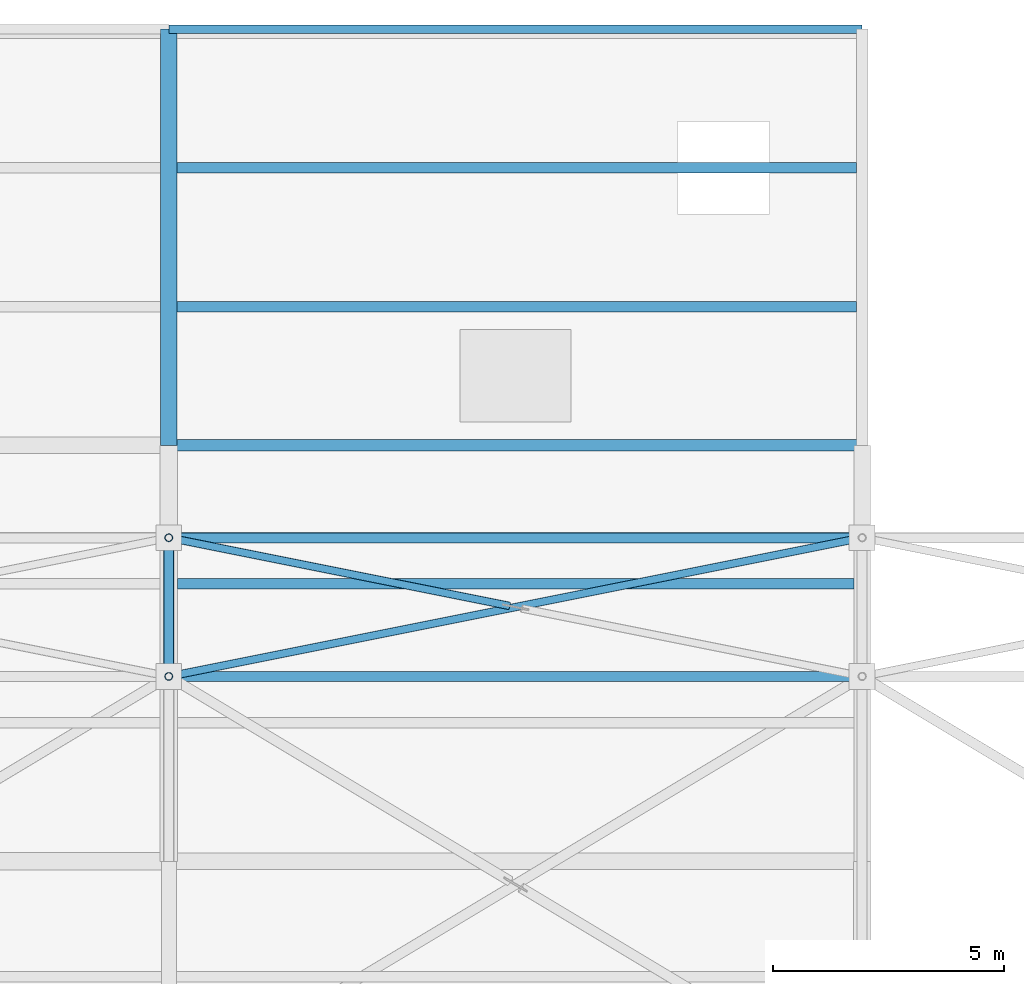
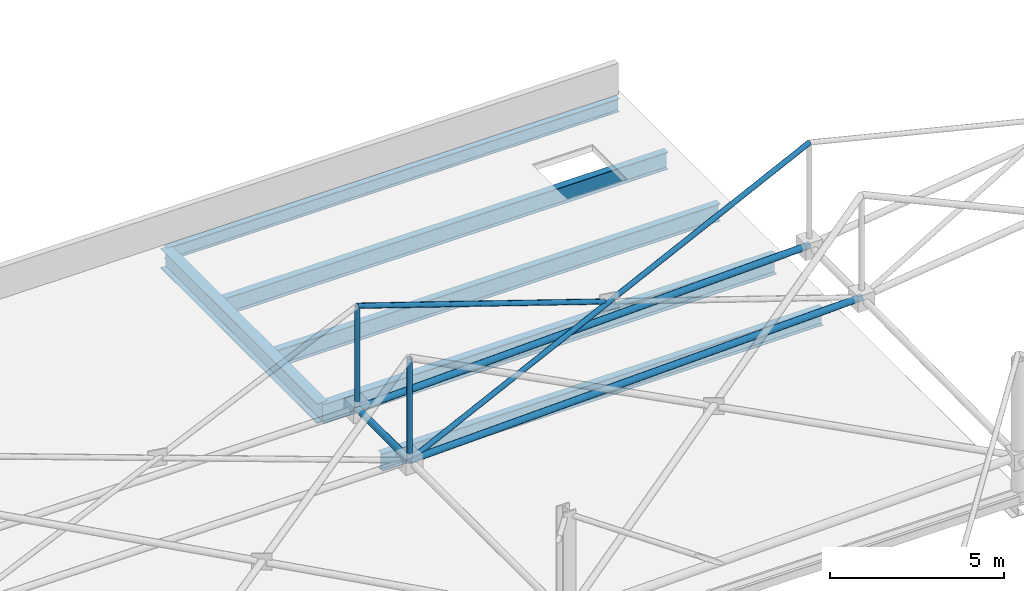
# One storey, part 116 of 224: 7 members, 6 beams.
"""IFC4 building model written with IfcOpenShell, lengths in metres."""

from ifc_helpers import new_model, si_unit, direction, frame, origin, origin_2d, place, context, subcontext, project, spatial, hollow_circle, i_section, extrude, material, material_profile, profile_set, type_object, element, save


model = new_model("IFC4")

# Units and contexts
model_context = context("Model", 3, precision=1e-05, world=origin(), true_north=direction((0.0, 1.0)))
body_context = subcontext(model_context, "Body", "Model", "MODEL_VIEW")
ifc_project = project(units=[si_unit("LENGTHUNIT", "METRE"), si_unit("AREAUNIT", "SQUARE_METRE"), si_unit("VOLUMEUNIT", "CUBIC_METRE"), si_unit("PLANEANGLEUNIT", "RADIAN"), si_unit("MASSUNIT", "GRAM", prefix="KILO")], contexts=[model_context])

# Site, building, storey
site_placement = place(None, origin())
site = spatial("IfcSite", under=ifc_project, at=site_placement, CompositionType="ELEMENT")
building_placement = place(site_placement, origin())
building = spatial("IfcBuilding", under=site, at=building_placement, Name="Qamarlyn Nura Convention Centre", CompositionType="ELEMENT")
storey_placement = place(building_placement, frame((0.0, 0.0, 10.800048828125)))
storey = spatial("IfcBuildingStorey", under=building, at=storey_placement, Name="L02", CompositionType="ELEMENT", Elevation=10.800048828125)

# Beams
ifc_material_1 = material(Name="Steel ASTM A992", Category="steel")
ifc_material_profile_1 = material_profile(ifc_material_1, i_section(OverallWidth=0.35498046875, OverallDepth=0.695068359375, WebThickness=0.015380859375, FlangeThickness=0.02490234375, FilletRadius=0.01806640625, at=origin_2d()), Name="W690X217")
ifc_profile_set_1 = profile_set([ifc_material_profile_1], Name="Steel ASTM A992")
beam_type_1 = type_object("IfcBeamType", Name="BM-GIRD-690A", PredefinedType="BEAM", material=ifc_profile_set_1)
beam_1_placement = place(storey_placement, frame((75.0, 117.0, -0.54248046875), z_axis=(0.0, 1.0, 0.0), x_axis=(-1.0, 0.0, 0.0)))
element("IfcBeam", 1, at=beam_1_placement, inside=storey, type_object=beam_type_1, Name="L02 girder 6 P-Q", PredefinedType="BEAM", context=body_context, shape_type="SweptSolid", body=[
    extrude(i_section(OverallWidth=0.35498046875, OverallDepth=0.695068359375, WebThickness=0.015380859375, FlangeThickness=0.02490234375, FilletRadius=0.01806640625, at=origin_2d()), origin(), (0.0, 0.0, 1.0), 9.0),
])
ifc_material_profile_2 = material_profile(ifc_material_1, i_section(OverallWidth=0.25390625, OverallDepth=0.68408203125, WebThickness=0.012451171875, FlangeThickness=0.01904296875, FilletRadius=0.01806640625, at=origin_2d()), Name="W690X140")
ifc_profile_set_2 = profile_set([ifc_material_profile_2], Name="Steel ASTM A992")
beam_type_2 = type_object("IfcBeamType", Name="BM-GIRD-690B", PredefinedType="BEAM", material=ifc_profile_set_2)
beam_2_placement = place(storey_placement, frame((75.0, 117.0, -0.537109375), z_axis=(1.0, 0.0, 0.0), x_axis=(0.0, 1.0, 0.0)))
element("IfcBeam", 2, at=beam_2_placement, inside=storey, type_object=beam_type_2, Name="L02 girder P 6-7", PredefinedType="BEAM", context=body_context, shape_type="SweptSolid", body=[
    extrude(i_section(OverallWidth=0.25390625, OverallDepth=0.68408203125, WebThickness=0.012451171875, FlangeThickness=0.01904296875, FilletRadius=0.01806640625, at=origin_2d()), origin(), (0.0, 0.0, 1.0), 15.0),
])
ifc_material_profile_3 = material_profile(ifc_material_1, i_section(OverallWidth=0.22802734375, OverallDepth=0.60791015625, WebThickness=0.01123046875, FlangeThickness=0.017333984375, FilletRadius=0.01611328125, at=origin_2d()), Name="W610X113")
ifc_profile_set_3 = profile_set([ifc_material_profile_3], Name="Steel ASTM A992")
beam_type_3 = type_object("IfcBeamType", Name="BM-JOIST-610", PredefinedType="JOIST", material=ifc_profile_set_3)
beam_3_placement = place(storey_placement, frame((75.1904296875, 114.0, -0.4990234375), z_axis=(1.0, 0.0, 0.0), x_axis=(0.0, 1.0, 0.0)))
element("IfcBeam", 3, at=beam_3_placement, inside=storey, type_object=beam_type_3, Name="L02 composite joist 6-7/N+2", PredefinedType="JOIST", context=body_context, shape_type="SweptSolid", body=[
    extrude(i_section(OverallWidth=0.22802734375, OverallDepth=0.60791015625, WebThickness=0.01123046875, FlangeThickness=0.017333984375, FilletRadius=0.01611328125, at=origin_2d()), origin(), (0.0, 0.0, 1.0), 14.632080078125),
])
for number, where, z_axis, x_axis, name in (
    (4, (75.177490234375, 120.0, -0.4990234375), (1.0, 0.0, 0.0), (0.0, 1.0, 0.0), "L02 composite joist 6-7/P+1"),
    (5, (75.177490234375, 123.0, -0.4990234375), (1.0, 0.0, 0.0), (0.0, 1.0, 0.0), "L02 composite joist 6-7/P+2"),
):
    element("IfcBeam", number, at=place(storey_placement, frame(where, z_axis=z_axis, x_axis=x_axis)), inside=storey, type_object=beam_type_3, Name=name, PredefinedType="JOIST", context=body_context, shape_type="SweptSolid", body=[
        extrude(i_section(OverallWidth=0.22802734375, OverallDepth=0.60791015625, WebThickness=0.01123046875, FlangeThickness=0.017333984375, FilletRadius=0.01611328125, at=origin_2d()), origin(), (0.0, 0.0, 1.0), 14.695556640625),
    ])
ifc_material_profile_4 = material_profile(ifc_material_1, i_section(OverallWidth=0.193115234375, OverallDepth=0.466064453125, WebThickness=0.011474609375, FlangeThickness=0.01904296875, FilletRadius=0.012939453125, at=origin_2d()), Name="W460X97")
ifc_profile_set_4 = profile_set([ifc_material_profile_4], Name="Steel ASTM A992")
beam_type_4 = type_object("IfcBeamType", Name="BM-SPAN-460", PredefinedType="SPANDREL", material=ifc_profile_set_4)
beam_4_placement = place(storey_placement, frame((75.0, 126.0, -0.427978515625), z_axis=(1.0, 0.0, 0.0), x_axis=(0.0, 1.0, 0.0)))
element("IfcBeam", 6, at=beam_4_placement, inside=storey, type_object=beam_type_4, Name="L02 girder Q 6-7", PredefinedType="SPANDREL", context=body_context, shape_type="SweptSolid", body=[
    extrude(i_section(OverallWidth=0.193115234375, OverallDepth=0.466064453125, WebThickness=0.011474609375, FlangeThickness=0.01904296875, FilletRadius=0.012939453125, at=origin_2d()), origin(), (0.0, 0.0, 1.0), 15.0),
])

# Members
ifc_material_2 = material(Name="Pearl-white PVDF steel ASTM A500 Grade C", Category="steel")
ifc_material_profile_5 = material_profile(ifc_material_2, hollow_circle(Radius=0.109619140625, WallThickness=0.010009765625, at=origin_2d()), Name="CHS219.1X10")
ifc_profile_set_5 = profile_set([ifc_material_profile_5], Name="Pearl-white PVDF steel ASTM A500 Grade C")
member_type_1 = type_object("IfcMemberType", Name="SF-BC-EAVE", PredefinedType="CHORD", material=ifc_profile_set_5)
member_1_placement = place(storey_placement, frame((75.0, 112.0, 0.800048828125), z_axis=(0.999518656268, 0.0, 0.031023471314), x_axis=(0.0, 1.0, 0.0)))
element("IfcMember", 7, at=member_1_placement, inside=storey, type_object=member_type_1, Name="ROOF TRUSS space frame bottom chord X7-8", PredefinedType="CHORD", context=body_context, shape_type="SweptSolid", body=[
    extrude(hollow_circle(Radius=0.109619140625, WallThickness=0.010009765625, at=origin_2d()), origin(), (0.0, 0.0, 1.0), 15.00732421875),
])
member_2_placement = place(storey_placement, frame((75.0, 115.0, 0.800048828125), z_axis=(0.999500838855, 0.0, 0.031592295395), x_axis=(0.0, 1.0, 0.0)))
element("IfcMember", 8, at=member_2_placement, inside=storey, type_object=member_type_1, Name="ROOF TRUSS space frame bottom chord X7-9", PredefinedType="CHORD", context=body_context, shape_type="SweptSolid", body=[
    extrude(hollow_circle(Radius=0.109619140625, WallThickness=0.010009765625, at=origin_2d()), origin(), (0.0, 0.0, 1.0), 15.007568359375),
])
member_3_placement = place(storey_placement, frame((75.0, 112.0, 0.800048828125), z_axis=(0.0, 1.0, 0.0), x_axis=(-1.0, 0.0, 0.0)))
element("IfcMember", 9, at=member_3_placement, inside=storey, type_object=member_type_1, Name="ROOF TRUSS space frame bottom chord Y7-8", PredefinedType="CHORD", context=body_context, shape_type="SweptSolid", body=[
    extrude(hollow_circle(Radius=0.109619140625, WallThickness=0.010009765625, at=origin_2d()), origin(), (0.0, 0.0, 1.0), 3.0),
])
ifc_material_profile_6 = material_profile(ifc_material_2, hollow_circle(Radius=0.084228515625, WallThickness=0.008056640625, at=origin_2d()), Name="CHS168.3X8")
ifc_profile_set_6 = profile_set([ifc_material_profile_6], Name="Pearl-white PVDF steel ASTM A500 Grade C")
member_type_2 = type_object("IfcMemberType", Name="SF-WEB-STD", PredefinedType="BRACE", material=ifc_profile_set_6)
member_4_placement = place(storey_placement, frame((75.0, 112.0, 0.800048828125), z_axis=(0.0, 0.0, 1.0), x_axis=(1.0, 0.0, 0.0)))
element("IfcMember", 10, at=member_4_placement, inside=storey, type_object=member_type_2, Name="ROOF TRUSS space frame vertical 7-8", PredefinedType="BRACE", context=body_context, shape_type="SweptSolid", body=[
    extrude(hollow_circle(Radius=0.084228515625, WallThickness=0.008056640625, at=origin_2d()), origin(), (0.0, 0.0, 1.0), 3.599853515625),
])
member_5_placement = place(storey_placement, frame((75.0, 112.0, 0.800048828125), z_axis=(0.947552086088, 0.189510417218, 0.257353542652), x_axis=(-0.196116135138, 0.980580675691, 0.0)))
element("IfcMember", 11, at=member_5_placement, inside=storey, type_object=member_type_2, Name="ROOF TRUSS space frame diagonal A 7-8", PredefinedType="BRACE", context=body_context, shape_type="SweptSolid", body=[
    extrude(hollow_circle(Radius=0.084228515625, WallThickness=0.008056640625, at=origin_2d()), origin(), (0.0, 0.0, 1.0), 15.830322265625),
])
member_6_placement = place(storey_placement, frame((82.365478515625, 113.52685546875, 2.863037109375), z_axis=(-0.960676952711, 0.192141759179, 0.200452829637), x_axis=(-0.196122385688, -0.98057942556, 0.0)))
element("IfcMember", 12, at=member_6_placement, inside=storey, type_object=member_type_2, Name="ROOF TRUSS space frame split diagonal B2 7-8", PredefinedType="BRACE", context=body_context, shape_type="SweptSolid", body=[
    extrude(hollow_circle(Radius=0.084228515625, WallThickness=0.008056640625, at=origin_2d()), origin(), (0.0, 0.0, 1.0), 7.6669921875),
])
member_7_placement = place(storey_placement, frame((75.0, 115.0, 0.800048828125), z_axis=(0.0, 0.0, 1.0), x_axis=(1.0, 0.0, 0.0)))
element("IfcMember", 13, at=member_7_placement, inside=storey, type_object=member_type_2, Name="ROOF TRUSS space frame vertical 7-9", PredefinedType="BRACE", context=body_context, shape_type="SweptSolid", body=[
    extrude(hollow_circle(Radius=0.084228515625, WallThickness=0.008056640625, at=origin_2d()), origin(), (0.0, 0.0, 1.0), 3.599853515625),
])

save(model, "model.ifc")
